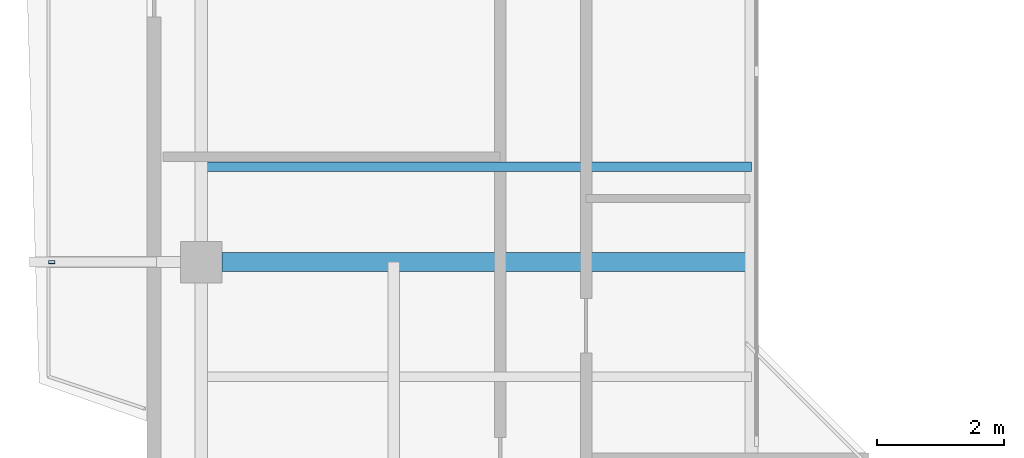
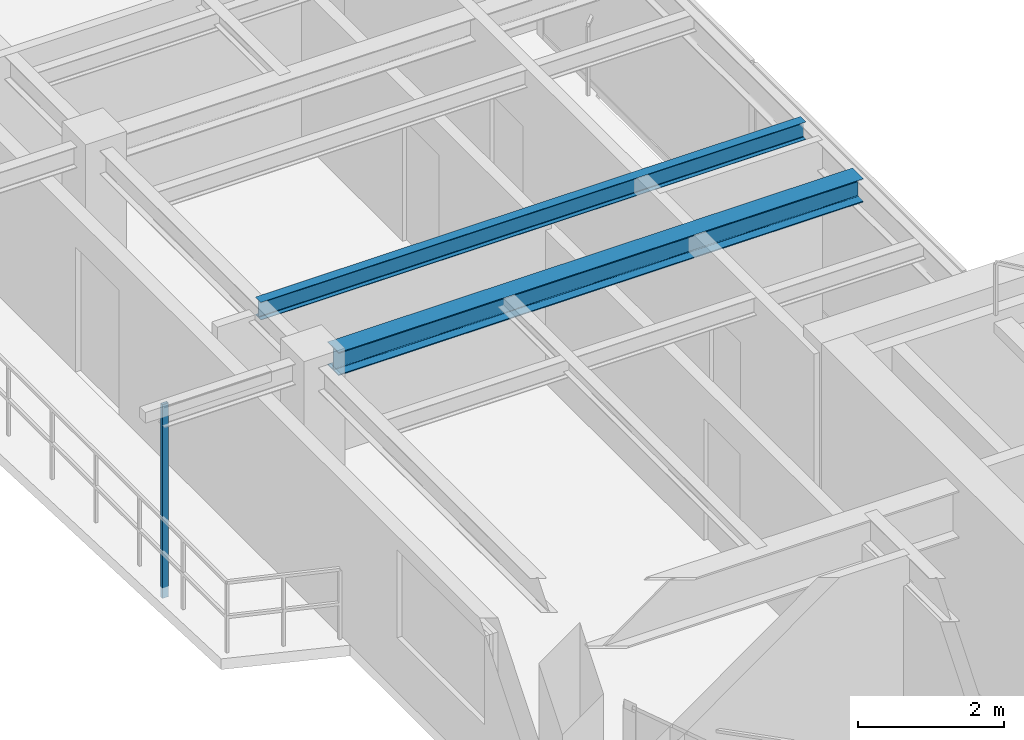
# One storey, part 3 of 14: 2 beams, 1 member.
"""IFC4 building model written with IfcOpenShell, lengths in metres."""

from ifc_helpers import new_model, si_unit, direction, frame, origin, origin_2d, place, context, subcontext, project, spatial, hollow_rectangle, i_section, extrude, source, transform, mapped, material, material_profile, profile_set, type_object, element, save


model = new_model("IFC4")

# Units and contexts
model_context = context("Model", 3, precision=1e-05, world=origin(), true_north=direction((0.0, 1.0)))
body_context = subcontext(model_context, "Body", "Model", "MODEL_VIEW")
ifc_project = project(units=[si_unit("LENGTHUNIT", "METRE"), si_unit("AREAUNIT", "SQUARE_METRE"), si_unit("VOLUMEUNIT", "CUBIC_METRE"), si_unit("PLANEANGLEUNIT", "RADIAN"), si_unit("MASSUNIT", "GRAM", prefix="KILO"), si_unit("THERMODYNAMICTEMPERATUREUNIT", "KELVIN"), si_unit("POWERUNIT", "WATT")], contexts=[model_context])

# Site, building, storey
site_placement = place(None, origin())
site = spatial("IfcSite", under=ifc_project, at=site_placement, CompositionType="ELEMENT")
building_placement = place(site_placement, origin())
building = spatial("IfcBuilding", under=site, at=building_placement, Name="Qiaomeng Ring Towers", CompositionType="ELEMENT")
storey_placement = place(building_placement, frame((0.0, 0.0, 240.5)))
storey = spatial("IfcBuildingStorey", under=building, at=storey_placement, Name="L70", CompositionType="ELEMENT", Elevation=240.5)

# Beams
ifc_material_1 = material(Name="Steel Q355B", Category="steel")
ifc_material_profile_1 = material_profile(ifc_material_1, i_section(OverallWidth=0.300048828125, OverallDepth=0.389892578125, WebThickness=0.010009765625, FlangeThickness=0.01611328125, FilletRadius=0.02197265625, at=origin_2d()), Name="HM 390x300x10x16")
ifc_profile_set_1 = profile_set([ifc_material_profile_1], Name="Steel Q355B")
beam_type_1 = type_object("IfcBeamType", Name="STR-BM-HM390", PredefinedType="BEAM", material=ifc_profile_set_1)
shared_shape_1 = source(origin(), body_context, "Body", "SweptSolid", [
    extrude(i_section(OverallWidth=0.300048828125, OverallDepth=0.389892578125, WebThickness=0.010009765625, FlangeThickness=0.01611328125, FilletRadius=0.02197265625, at=origin_2d()), origin(), (0.0, 0.0, 1.0), 8.325927734375),
])
beam_1_placement = place(storey_placement, frame((4.47412109375, 20.0, 2.875), z_axis=(1.0, 0.0, 0.0), x_axis=(0.0, 1.0, 0.0)))
element("IfcBeam", 1, at=beam_1_placement, inside=storey, type_object=beam_type_1, Name="L70 beam STR-BM-L70-T1-RAD-W2", PredefinedType="BEAM", context=body_context, shape_type="MappedRepresentation", body=[
    mapped(shared_shape_1, transform((0.0, 0.0, 0.0), x_axis=(1.0, 0.0, 0.0), y_axis=(0.0, 1.0, 0.0), z_axis=(0.0, 0.0, 1.0), scale=1.0)),
])
ifc_material_profile_2 = material_profile(ifc_material_1, i_section(OverallWidth=0.14990234375, OverallDepth=0.300048828125, WebThickness=0.006591796875, FlangeThickness=0.009033203125, FilletRadius=0.012939453125, at=origin_2d()), Name="HN 300x150x6.5x9")
ifc_profile_set_2 = profile_set([ifc_material_profile_2], Name="Steel Q355B")
beam_type_2 = type_object("IfcBeamType", Name="STR-BM-HN300", PredefinedType="JOIST", material=ifc_profile_set_2)
shared_shape_2 = source(origin(), body_context, "Body", "SweptSolid", [
    extrude(i_section(OverallWidth=0.14990234375, OverallDepth=0.300048828125, WebThickness=0.006591796875, FlangeThickness=0.009033203125, FilletRadius=0.012939453125, at=origin_2d()), origin(), (0.0, 0.0, 1.0), 8.650146484375),
])
beam_2_placement = place(storey_placement, frame((4.14990234375, 21.5, 2.919921875), z_axis=(1.0, 0.0, 0.0), x_axis=(0.0, 1.0, 0.0)))
element("IfcBeam", 2, at=beam_2_placement, inside=storey, type_object=beam_type_2, Name="L70 beam STR-JST-L70-T1W-2", PredefinedType="JOIST", context=body_context, shape_type="MappedRepresentation", body=[
    mapped(shared_shape_2, transform((0.0, 0.0, 0.0), x_axis=(1.0, 0.0, 0.0), y_axis=(0.0, 1.0, 0.0), z_axis=(0.0, 0.0, 1.0), scale=1.0)),
])

# Member
ifc_material_2 = material(Name="Stainless steel 316", Category="steel")
ifc_material_profile_3 = material_profile(ifc_material_2, hollow_rectangle(XDim=0.050048828125, YDim=0.10009765625, WallThickness=0.00390625, at=origin_2d()), Name="SS TRELLIS 100x50")
ifc_profile_set_3 = profile_set([ifc_material_profile_3], Name="Stainless steel 316")
member_type = type_object("IfcMemberType", Name="ARC-TR-POST2", PredefinedType="STUD", material=ifc_profile_set_3)
shared_shape_3 = source(origin(), body_context, "Body", "SweptSolid", [
    extrude(hollow_rectangle(XDim=0.050048828125, YDim=0.10009765625, WallThickness=0.00390625, at=origin_2d()), origin(), (0.0, 0.0, 1.0), 3.25),
])
member_placement = place(storey_placement, frame((1.800048828125, 20.0, -0.179931640625), z_axis=(0.0, 0.0, 1.0), x_axis=(0.0, 1.0, 0.0)))
element("IfcMember", 3, at=member_placement, inside=storey, type_object=member_type, Name="L70 Outer Ventilated Trellis Post W", PredefinedType="STUD", context=body_context, shape_type="MappedRepresentation", body=[
    mapped(shared_shape_3, transform((0.0, 0.0, 0.0), x_axis=(1.0, 0.0, 0.0), y_axis=(0.0, 1.0, 0.0), z_axis=(0.0, 0.0, 1.0), scale=1.0)),
])

save(model, "model.ifc")
